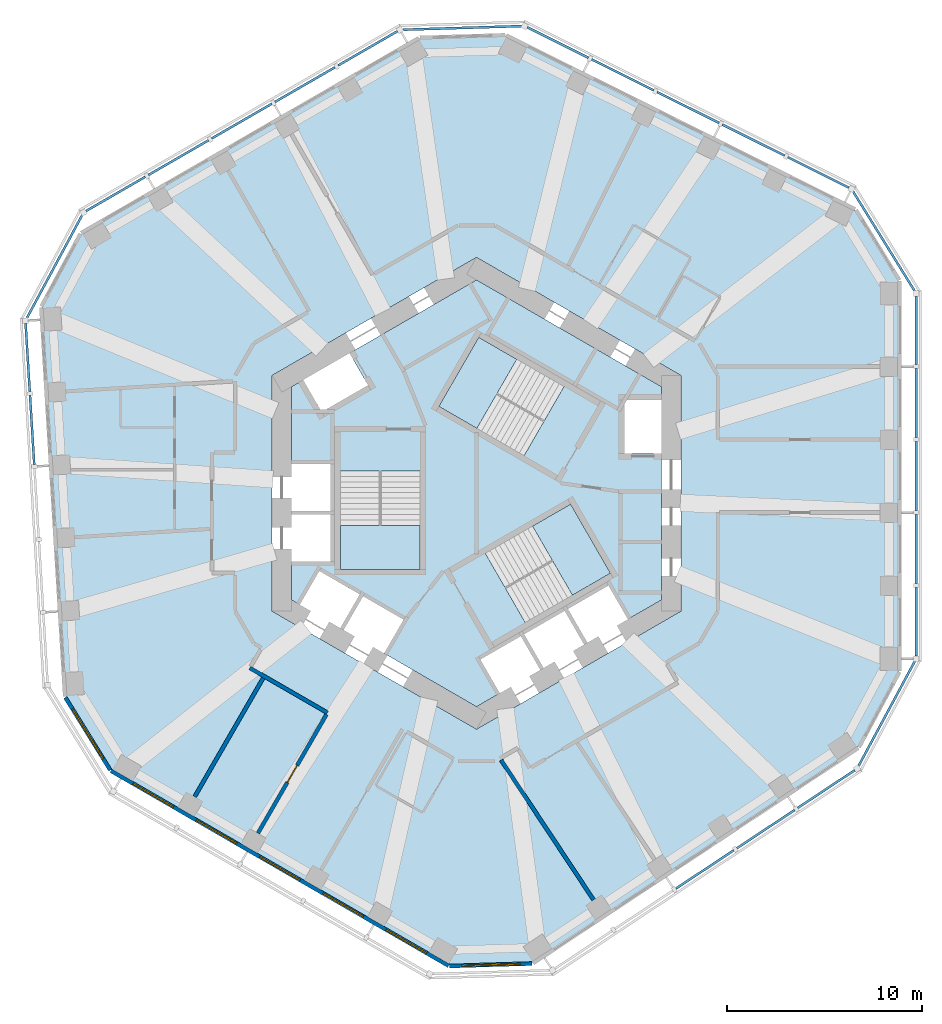
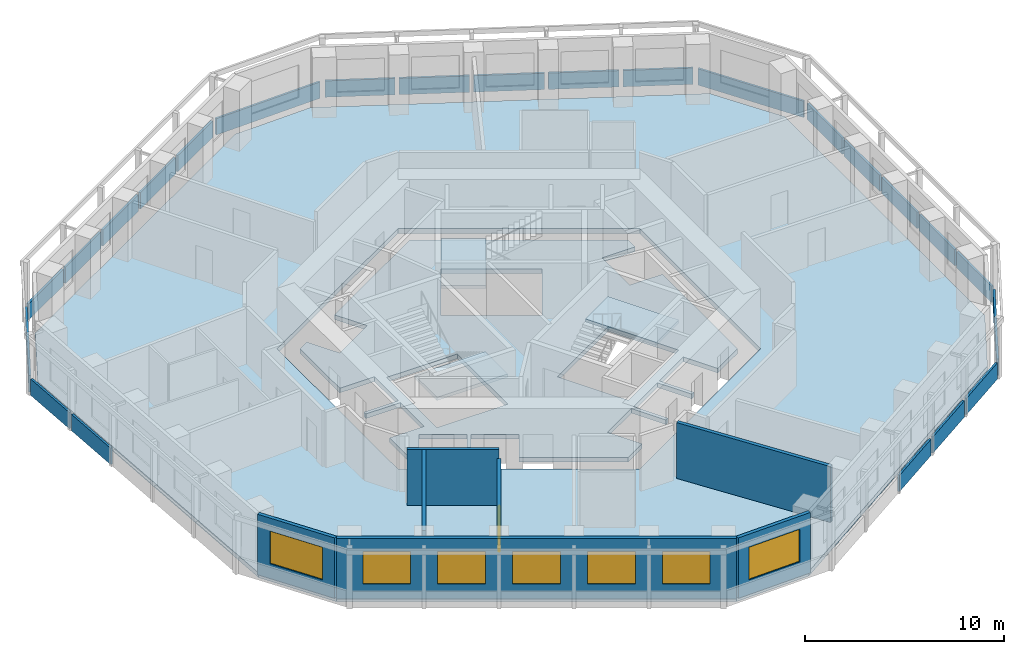
# One storey, part 3 of 10: 24 plates, 7 walls, 7 windows, 5 slabs, 1 door, 8 openings, 12 elements without a shape of their own.
"""IFC4 building model written with IfcOpenShell, lengths in metres."""

from ifc_helpers import new_model, si_unit, direction, frame, frame_2d, origin, origin_2d, place, context, subcontext, project, spatial, polyline, rectangle, outline, extrude, material, layer, layer_set, type_object, element, fill, aggregate, save


model = new_model("IFC4")

# Units and contexts
model_context = context("Model", 3, precision=1e-05, world=origin(), true_north=direction((0.0, 1.0)))
body_context = subcontext(model_context, "Body", "Model", "MODEL_VIEW")
ifc_project = project(units=[si_unit("LENGTHUNIT", "METRE"), si_unit("AREAUNIT", "SQUARE_METRE"), si_unit("VOLUMEUNIT", "CUBIC_METRE"), si_unit("PLANEANGLEUNIT", "RADIAN"), si_unit("MASSUNIT", "GRAM", prefix="KILO")], contexts=[model_context])

# Site, building, storey
site_placement = place(None, origin())
site = spatial("IfcSite", under=ifc_project, at=site_placement, CompositionType="ELEMENT")
building_placement = place(site_placement, origin())
building = spatial("IfcBuilding", under=site, at=building_placement, Name="Vanh Sen Convention Tower", CompositionType="ELEMENT")
storey_placement = place(building_placement, frame((0.0, 0.0, 157.699951171875)))
storey = spatial("IfcBuildingStorey", under=building, at=storey_placement, Name="L38", CompositionType="ELEMENT", Elevation=157.699951171875)

# Slabs
ifc_material_1 = material(Name="Concrete C40/50", Category="concrete")
ifc_layer_1 = layer(ifc_material_1, 0.280029296875)
ifc_layer_set_1 = layer_set([ifc_layer_1], Name="Concrete C40/50")
slab_type_1 = type_object("IfcSlabType", Name="Core slab 280", PredefinedType="FLOOR", material=ifc_layer_set_1)
slab_1_placement = place(storey_placement, frame((0.0, 0.0, -0.280029296875)))
element("IfcSlab", 1, at=slab_1_placement, inside=storey, type_object=slab_type_1, Name="Core slab L38", PredefinedType="FLOOR", context=body_context, shape_type="SweptSolid", body=[
    extrude(outline(polyline([(0.0, 10.9697265625), (9.5, 5.48486328125), (9.5, 4.800048828125), (7.60009765625, 4.800048828125), (7.60009765625, 2.050048828125), (9.5, 2.050048828125), (9.5, -5.48486328125), (7.781005859375, -6.477294921875), (6.781005859375, -4.7451171875), (4.70263671875, -5.9453125), (5.70263671875, -7.67724609375), (5.529296875, -7.777099609375), (4.529296875, -6.045166015625), (2.450927734375, -7.2451171875), (3.450927734375, -8.977294921875), (3.27783203125, -9.0771484375), (2.27783203125, -7.34521484375), (0.19921875, -8.545166015625), (1.19921875, -10.277099609375), (0.0, -10.9697265625), (-4.75, -8.227294921875), (-3.75, -6.4951171875), (-5.82861328125, -5.295166015625), (-6.82861328125, -7.027099609375), (-7.001708984375, -6.92724609375), (-6.001708984375, -5.1953125), (-8.080078125, -3.9951171875), (-9.080078125, -5.727294921875), (-9.5, -5.48486328125), (-9.5, -3.5), (-7.5, -3.5), (-7.5, -1.10009765625), (-9.5, -1.10009765625), (-9.5, -0.89990234375), (-7.5, -0.89990234375), (-7.5, 1.5), (-9.5, 1.5), (-9.5, 5.48486328125), (-8.906982421875, 5.8271484375), (-7.956787109375, 4.181884765625), (-5.575439453125, 5.556884765625), (-6.525390625, 7.2021484375), (0.0, 10.9697265625)]), holes=[polyline([(-7.0, 1.1494140625), (-7.0, -3.909912109375), (-2.89990234375, -3.909912109375), (-2.89990234375, 1.1494140625), (-7.0, 1.1494140625)]), polyline([(2.504638671875, -6.63671875), (6.88623046875, -4.107177734375), (4.836181640625, -0.556396484375), (0.45458984375, -3.086181640625), (2.504638671875, -6.63671875)]), polyline([(0.11376953125, 8.01708984375), (-1.936279296875, 4.466552734375), (2.4453125, 1.936767578125), (4.495361328125, 5.487548828125), (0.11376953125, 8.01708984375)])]), origin(), (0.0, 0.0, 1.0), 0.280029296875),
])
ifc_layer_2 = layer(ifc_material_1, 0.280029296875)
ifc_layer_set_2 = layer_set([ifc_layer_2], Name="Concrete C40/50")
slab_type_2 = type_object("IfcSlabType", Name="Floor slab 280 REI 120", PredefinedType="FLOOR", material=ifc_layer_set_2)
slab_2_placement = place(storey_placement, frame((0.0, 0.0, -0.280029296875)))
element("IfcSlab", 2, at=slab_2_placement, inside=storey, type_object=slab_type_2, Name="Floor slab L38 tower", PredefinedType="FLOOR", context=body_context, shape_type="SweptSolid", body=[
    extrude(outline(polyline([(21.699951171875, -9.15087890625), (21.699951171875, 10.91943359375), (19.454833984375, 14.5478515625), (1.492919921875, 23.503173828125), (-2.925048828125, 23.368408203125), (-20.306640625, 13.3330078125), (-22.326171875, 9.574462890625), (-21.100830078125, -10.458740234375), (-18.77490234375, -14.21728515625), (-1.393310546875, -24.25244140625), (2.871337890625, -24.122314453125), (19.60791015625, -13.04443359375), (21.699951171875, -9.15087890625)]), holes=[polyline([(0.0, 12.12451171875), (-10.5, 6.062255859375), (-10.5, -6.062255859375), (0.0, -12.12451171875), (10.5, -6.062255859375), (10.5, 6.062255859375), (0.0, 12.12451171875)])]), origin(), (0.0, 0.0, 1.0), 0.280029296875),
])

# Curtain wall, plates
ifc_material_2 = material(Name="Concrete C50/60", Category="concrete")
curtain_wall_type = type_object("IfcCurtainWallType", Name="Outer skin office zone", PredefinedType="NOTDEFINED", material=ifc_material_2)
curtain_wall_1_placement = place(storey_placement, origin())
curtain_wall_1 = element("IfcCurtainWall", 3, at=curtain_wall_1_placement, inside=storey, type_object=curtain_wall_type, Name="OUTER SKIN E L38", PredefinedType="NOTDEFINED")
ifc_layer_3 = layer(ifc_material_2, 0.1201171875)
ifc_layer_set_3 = layer_set([ifc_layer_3], Name="Concrete C50/60")
plate_type = type_object("IfcPlateType", Name="Outer skin precast screen panel 120", PredefinedType="CURTAIN_PANEL", material=ifc_layer_set_3)
plate_1_placement = place(storey_placement, frame((22.60009765625, -6.59912109375, 0.0), z_axis=(0.0, 0.0, 1.0), x_axis=(0.0, 1.0, 0.0)))
plate_1 = element("IfcPlate", 4, at=plate_1_placement, type_object=plate_type, Name="OUTER SKIN screen panel E-1", PredefinedType="CURTAIN_PANEL", context=body_context, shape_type="SweptSolid", body=[
    extrude(rectangle(XDim=3.504150390625, YDim=0.1201171875, at=origin_2d()), origin(), (0.0, 0.0, 1.0), 1.0),
])
plate_2_placement = place(storey_placement, frame((22.60009765625, -2.869873046875, 0.0), z_axis=(0.0, 0.0, 1.0), x_axis=(0.0, 1.0, 0.0)))
plate_2 = element("IfcPlate", 5, at=plate_2_placement, type_object=plate_type, Name="OUTER SKIN screen panel E-2", PredefinedType="CURTAIN_PANEL", context=body_context, shape_type="SweptSolid", body=[
    extrude(rectangle(XDim=3.55419921875, YDim=0.1201171875, at=origin_2d()), origin(), (0.0, 0.0, 1.0), 1.0),
])
plate_3_placement = place(storey_placement, frame((22.60009765625, 0.88427734375, 0.0), z_axis=(0.0, 0.0, 1.0), x_axis=(0.0, 1.0, 0.0)))
plate_3 = element("IfcPlate", 6, at=plate_3_placement, type_object=plate_type, Name="OUTER SKIN screen panel E-3", PredefinedType="CURTAIN_PANEL", context=body_context, shape_type="SweptSolid", body=[
    extrude(rectangle(XDim=3.55419921875, YDim=0.1201171875, at=origin_2d()), origin(), (0.0, 0.0, 1.0), 1.0),
])
plate_4_placement = place(storey_placement, frame((22.60009765625, 4.63818359375, 0.0), z_axis=(0.0, 0.0, 1.0), x_axis=(0.0, 1.0, 0.0)))
plate_4 = element("IfcPlate", 7, at=plate_4_placement, type_object=plate_type, Name="OUTER SKIN screen panel E-4", PredefinedType="CURTAIN_PANEL", context=body_context, shape_type="SweptSolid", body=[
    extrude(rectangle(XDim=3.55419921875, YDim=0.1201171875, at=origin_2d()), origin(), (0.0, 0.0, 1.0), 1.0),
])
plate_5_placement = place(storey_placement, frame((22.60009765625, 8.367431640625, 0.0), z_axis=(0.0, 0.0, 1.0), x_axis=(0.0, 1.0, 0.0)))
plate_5 = element("IfcPlate", 8, at=plate_5_placement, type_object=plate_type, Name="OUTER SKIN screen panel E-5", PredefinedType="CURTAIN_PANEL", context=body_context, shape_type="SweptSolid", body=[
    extrude(rectangle(XDim=3.504150390625, YDim=0.1201171875, at=origin_2d()), origin(), (0.0, 0.0, 1.0), 1.0),
])
aggregate(curtain_wall_1, [plate_1, plate_2, plate_3, plate_4, plate_5])

# Curtain wall, plate
curtain_wall_2_placement = place(storey_placement, origin())
curtain_wall_2 = element("IfcCurtainWall", 9, at=curtain_wall_2_placement, inside=storey, type_object=curtain_wall_type, Name="OUTER SKIN CH1 L38", PredefinedType="NOTDEFINED")
plate_6_placement = place(storey_placement, frame((20.937255859375, 12.956298828125, 0.0), z_axis=(0.0, 0.0, 1.0), x_axis=(-0.5262035346, 0.850358653848, 0.0)))
plate_6 = element("IfcPlate", 10, at=plate_6_placement, type_object=plate_type, Name="OUTER SKIN screen panel CH1-1", PredefinedType="CURTAIN_PANEL", context=body_context, shape_type="SweptSolid", body=[
    extrude(rectangle(XDim=6.01953125, YDim=0.1201171875, at=origin_2d()), origin(), (0.0, 0.0, 1.0), 1.0),
])
aggregate(curtain_wall_2, [plate_6])

# Curtain wall, plates
curtain_wall_3_placement = place(storey_placement, origin())
curtain_wall_3 = element("IfcCurtainWall", 11, at=curtain_wall_3_placement, inside=storey, type_object=curtain_wall_type, Name="OUTER SKIN NE L38", PredefinedType="NOTDEFINED")
plate_7_placement = place(storey_placement, frame((17.572509765625, 16.491943359375, 0.0), z_axis=(0.0, 0.0, 1.0), x_axis=(-0.894943706551, 0.446179069551, 0.0)))
plate_7 = element("IfcPlate", 12, at=plate_7_placement, type_object=plate_type, Name="OUTER SKIN screen panel NE-1", PredefinedType="CURTAIN_PANEL", context=body_context, shape_type="SweptSolid", body=[
    extrude(rectangle(XDim=3.504150390625, YDim=0.1201171875, at=origin_2d()), origin(), (0.0, 0.0, 1.0), 1.0),
])
plate_8_placement = place(storey_placement, frame((14.235107421875, 18.156005859375, 0.0), z_axis=(0.0, 0.0, 1.0), x_axis=(-0.894932804072, 0.446200937017, 0.0)))
plate_8 = element("IfcPlate", 13, at=plate_8_placement, type_object=plate_type, Name="OUTER SKIN screen panel NE-2", PredefinedType="CURTAIN_PANEL", context=body_context, shape_type="SweptSolid", body=[
    extrude(rectangle(XDim=3.55419921875, YDim=0.1201171875, at=origin_2d()), origin(), (0.0, 0.0, 1.0), 1.0),
])
plate_9_placement = place(storey_placement, frame((10.87548828125, 19.8310546875, 0.0), z_axis=(0.0, 0.0, 1.0), x_axis=(-0.894932804072, 0.446200937017, 0.0)))
plate_9 = element("IfcPlate", 14, at=plate_9_placement, type_object=plate_type, Name="OUTER SKIN screen panel NE-3", PredefinedType="CURTAIN_PANEL", context=body_context, shape_type="SweptSolid", body=[
    extrude(rectangle(XDim=3.55419921875, YDim=0.1201171875, at=origin_2d()), origin(), (0.0, 0.0, 1.0), 1.0),
])
plate_10_placement = place(storey_placement, frame((7.515625, 21.506103515625, 0.0), z_axis=(0.0, 0.0, 1.0), x_axis=(-0.894932804072, 0.446200937017, 0.0)))
plate_10 = element("IfcPlate", 15, at=plate_10_placement, type_object=plate_type, Name="OUTER SKIN screen panel NE-4", PredefinedType="CURTAIN_PANEL", context=body_context, shape_type="SweptSolid", body=[
    extrude(rectangle(XDim=3.55419921875, YDim=0.1201171875, at=origin_2d()), origin(), (0.0, 0.0, 1.0), 1.0),
])
plate_11_placement = place(storey_placement, frame((4.178466796875, 23.169921875, 0.0), z_axis=(0.0, 0.0, 1.0), x_axis=(-0.894943706551, 0.446179069551, 0.0)))
plate_11 = element("IfcPlate", 16, at=plate_11_placement, type_object=plate_type, Name="OUTER SKIN screen panel NE-5", PredefinedType="CURTAIN_PANEL", context=body_context, shape_type="SweptSolid", body=[
    extrude(rectangle(XDim=3.504150390625, YDim=0.1201171875, at=origin_2d()), origin(), (0.0, 0.0, 1.0), 1.0),
])
aggregate(curtain_wall_3, [plate_7, plate_8, plate_9, plate_10, plate_11])

# Curtain wall, plate
curtain_wall_4_placement = place(storey_placement, origin())
curtain_wall_4 = element("IfcCurtainWall", 17, at=curtain_wall_4_placement, inside=storey, type_object=curtain_wall_type, Name="OUTER SKIN CH2 L38", PredefinedType="NOTDEFINED")
plate_12_placement = place(storey_placement, frame((-0.73095703125, 23.920654296875, 0.0), z_axis=(0.0, 0.0, 1.0), x_axis=(-0.999533590837, -0.03053851321, 0.0)))
plate_12 = element("IfcPlate", 18, at=plate_12_placement, type_object=plate_type, Name="OUTER SKIN screen panel CH2-1", PredefinedType="CURTAIN_PANEL", context=body_context, shape_type="SweptSolid", body=[
    extrude(rectangle(XDim=6.1171875, YDim=0.1201171875, at=origin_2d()), origin(), (0.0, 0.0, 1.0), 1.0),
])
aggregate(curtain_wall_4, [plate_12])

# Curtain wall, plates
curtain_wall_5_placement = place(storey_placement, origin())
curtain_wall_5 = element("IfcCurtainWall", 19, at=curtain_wall_5_placement, inside=storey, type_object=curtain_wall_type, Name="OUTER SKIN NW L38", PredefinedType="NOTDEFINED")
plate_13_placement = place(storey_placement, frame((-5.585205078125, 22.87158203125, 0.0), z_axis=(0.0, 0.0, 1.0), x_axis=(-0.866035002936, -0.499983373414, 0.0)))
plate_13 = element("IfcPlate", 20, at=plate_13_placement, type_object=plate_type, Name="OUTER SKIN screen panel NW-1", PredefinedType="CURTAIN_PANEL", context=body_context, shape_type="SweptSolid", body=[
    extrude(rectangle(XDim=3.504150390625, YDim=0.1201171875, at=origin_2d()), origin(), (0.0, 0.0, 1.0), 1.0),
])
plate_14_placement = place(storey_placement, frame((-8.814697265625, 21.007080078125, 0.0), z_axis=(0.0, 0.0, 1.0), x_axis=(-0.866016677006, -0.500015114919, 0.0)))
plate_14 = element("IfcPlate", 21, at=plate_14_placement, type_object=plate_type, Name="OUTER SKIN screen panel NW-2", PredefinedType="CURTAIN_PANEL", context=body_context, shape_type="SweptSolid", body=[
    extrude(rectangle(XDim=3.55419921875, YDim=0.1201171875, at=origin_2d()), origin(), (0.0, 0.0, 1.0), 1.0),
])
plate_15_placement = place(storey_placement, frame((-12.06591796875, 19.1298828125, 0.0), z_axis=(0.0, 0.0, 1.0), x_axis=(-0.866035002936, -0.499983373414, 0.0)))
plate_15 = element("IfcPlate", 22, at=plate_15_placement, type_object=plate_type, Name="OUTER SKIN screen panel NW-3", PredefinedType="CURTAIN_PANEL", context=body_context, shape_type="SweptSolid", body=[
    extrude(rectangle(XDim=3.55419921875, YDim=0.1201171875, at=origin_2d()), origin(), (0.0, 0.0, 1.0), 1.0),
])
plate_16_placement = place(storey_placement, frame((-15.31689453125, 17.2529296875, 0.0), z_axis=(0.0, 0.0, 1.0), x_axis=(-0.866016677006, -0.500015114919, 0.0)))
plate_16 = element("IfcPlate", 23, at=plate_16_placement, type_object=plate_type, Name="OUTER SKIN screen panel NW-4", PredefinedType="CURTAIN_PANEL", context=body_context, shape_type="SweptSolid", body=[
    extrude(rectangle(XDim=3.55419921875, YDim=0.1201171875, at=origin_2d()), origin(), (0.0, 0.0, 1.0), 1.0),
])
plate_17_placement = place(storey_placement, frame((-18.54638671875, 15.388427734375, 0.0), z_axis=(0.0, 0.0, 1.0), x_axis=(-0.866035002936, -0.499983373414, 0.0)))
plate_17 = element("IfcPlate", 24, at=plate_17_placement, type_object=plate_type, Name="OUTER SKIN screen panel NW-5", PredefinedType="CURTAIN_PANEL", context=body_context, shape_type="SweptSolid", body=[
    extrude(rectangle(XDim=3.504150390625, YDim=0.1201171875, at=origin_2d()), origin(), (0.0, 0.0, 1.0), 1.0),
])
aggregate(curtain_wall_5, [plate_13, plate_14, plate_15, plate_16, plate_17])

# Curtain wall, plate
curtain_wall_6_placement = place(storey_placement, origin())
curtain_wall_6 = element("IfcCurtainWall", 25, at=curtain_wall_6_placement, inside=storey, type_object=curtain_wall_type, Name="OUTER SKIN CH3 L38", PredefinedType="NOTDEFINED")
plate_18_placement = place(storey_placement, frame((-21.689208984375, 11.654052734375, 0.0), z_axis=(0.0, 0.0, 1.0), x_axis=(-0.47331812974, -0.880891564303, 0.0)))
plate_18 = element("IfcPlate", 26, at=plate_18_placement, type_object=plate_type, Name="OUTER SKIN screen panel CH3-1", PredefinedType="CURTAIN_PANEL", context=body_context, shape_type="SweptSolid", body=[
    extrude(rectangle(XDim=6.019287109375, YDim=0.1201171875, at=origin_2d()), origin(), (0.0, 0.0, 1.0), 1.0),
])
aggregate(curtain_wall_6, [plate_18])

# Curtain wall, plates
curtain_wall_7_placement = place(storey_placement, origin())
curtain_wall_7 = element("IfcCurtainWall", 27, at=curtain_wall_7_placement, inside=storey, type_object=curtain_wall_type, Name="OUTER SKIN W L38", PredefinedType="NOTDEFINED")
plate_19_placement = place(storey_placement, frame((-23.068603515625, 6.97216796875, 0.0), z_axis=(0.0, 0.0, 1.0), x_axis=(0.061053765756, -0.998134478759, 0.0)))
plate_19 = element("IfcPlate", 28, at=plate_19_placement, type_object=plate_type, Name="OUTER SKIN screen panel W-1", PredefinedType="CURTAIN_PANEL", context=body_context, shape_type="SweptSolid", body=[
    extrude(rectangle(XDim=3.504150390625, YDim=0.1201171875, at=origin_2d()), origin(), (0.0, 0.0, 1.0), 1.0),
])
plate_20_placement = place(storey_placement, frame((-22.841064453125, 3.25, 0.0), z_axis=(0.0, 0.0, 1.0), x_axis=(0.061052023682, -0.998134585316, 0.0)))
plate_20 = element("IfcPlate", 29, at=plate_20_placement, type_object=plate_type, Name="OUTER SKIN screen panel W-2", PredefinedType="CURTAIN_PANEL", context=body_context, shape_type="SweptSolid", body=[
    extrude(rectangle(XDim=3.55419921875, YDim=0.1201171875, at=origin_2d()), origin(), (0.0, 0.0, 1.0), 1.0),
])
aggregate(curtain_wall_7, [plate_19, plate_20])

curtain_wall_8_placement = place(storey_placement, origin())
curtain_wall_8 = element("IfcCurtainWall", 30, at=curtain_wall_8_placement, inside=storey, type_object=curtain_wall_type, Name="OUTER SKIN SE L38", PredefinedType="NOTDEFINED")
plate_21_placement = place(storey_placement, frame((11.736328125, -19.333984375, 0.0), z_axis=(0.0, 0.0, 1.0), x_axis=(0.833877152158, 0.551950083892, 0.0)))
plate_21 = element("IfcPlate", 31, at=plate_21_placement, type_object=plate_type, Name="OUTER SKIN screen panel SE-3", PredefinedType="CURTAIN_PANEL", context=body_context, shape_type="SweptSolid", body=[
    extrude(rectangle(XDim=3.55419921875, YDim=0.1201171875, at=origin_2d()), origin(), (0.0, 0.0, 1.0), 1.0),
])
plate_22_placement = place(storey_placement, frame((14.866943359375, -17.26171875, 0.0), z_axis=(0.0, 0.0, 1.0), x_axis=(0.833889675294, 0.551931163677, 0.0)))
plate_22 = element("IfcPlate", 32, at=plate_22_placement, type_object=plate_type, Name="OUTER SKIN screen panel SE-4", PredefinedType="CURTAIN_PANEL", context=body_context, shape_type="SweptSolid", body=[
    extrude(rectangle(XDim=3.55419921875, YDim=0.1201171875, at=origin_2d()), origin(), (0.0, 0.0, 1.0), 1.0),
])
plate_23_placement = place(storey_placement, frame((17.9765625, -15.20361328125, 0.0), z_axis=(0.0, 0.0, 1.0), x_axis=(0.833889675294, 0.551931163677, 0.0)))
plate_23 = element("IfcPlate", 33, at=plate_23_placement, type_object=plate_type, Name="OUTER SKIN screen panel SE-5", PredefinedType="CURTAIN_PANEL", context=body_context, shape_type="SweptSolid", body=[
    extrude(rectangle(XDim=3.504150390625, YDim=0.1201171875, at=origin_2d()), origin(), (0.0, 0.0, 1.0), 1.0),
])
aggregate(curtain_wall_8, [plate_21, plate_22, plate_23])

# Curtain wall, plate
curtain_wall_9_placement = place(storey_placement, origin())
curtain_wall_9 = element("IfcCurtainWall", 34, at=curtain_wall_9_placement, inside=storey, type_object=curtain_wall_type, Name="OUTER SKIN CH6 L38", PredefinedType="NOTDEFINED")
plate_24_placement = place(storey_placement, frame((21.081298828125, -11.327392578125, 0.0), z_axis=(0.0, 0.0, 1.0), x_axis=(0.473321204628, 0.880889912105, 0.0)))
plate_24 = element("IfcPlate", 35, at=plate_24_placement, type_object=plate_type, Name="OUTER SKIN screen panel CH6-1", PredefinedType="CURTAIN_PANEL", context=body_context, shape_type="SweptSolid", body=[
    extrude(rectangle(XDim=6.1171875, YDim=0.1201171875, at=origin_2d()), origin(), (0.0, 0.0, 1.0), 1.0),
])
aggregate(curtain_wall_9, [plate_24])

# Stair, slab
ifc_material_3 = material(Name="Concrete C50/60", Category="concrete")
stair_type_1 = type_object("IfcStairType", Name="Exit stair ST1 22 risers at 168.2", PredefinedType="HALF_TURN_STAIR", material=ifc_material_3)
stair_1_placement = place(storey_placement, origin())
stair_1 = element("IfcStair", 36, at=stair_1_placement, inside=storey, type_object=stair_type_1, Name="Exit stair ST1 L38", PredefinedType="HALF_TURN_STAIR")
ifc_layer_4 = layer(ifc_material_1, 0.199951171875)
ifc_layer_set_4 = layer_set([ifc_layer_4], Name="Concrete C40/50")
slab_type_3 = type_object("IfcSlabType", Name="Stair landing 200", PredefinedType="LANDING", material=ifc_layer_set_4)
slab_3_placement = place(storey_placement, frame((0.0, 0.0, 1.650146484375)))
slab_3 = element("IfcSlab", 37, at=slab_3_placement, type_object=slab_type_3, Name="ST1 landing 1", PredefinedType="LANDING", context=body_context, shape_type="SweptSolid", body=[
    extrude(outline(polyline([(2.07177734375, 6.88671875), (0.11376953125, 8.01708984375), (-1.936279296875, 4.466552734375), (0.021728515625, 3.336181640625), (2.07177734375, 6.88671875)])), origin(), (0.0, 0.0, 1.0), 0.199951171875),
])
aggregate(stair_1, [slab_3])

stair_type_2 = type_object("IfcStairType", Name="Exit stair ST2 22 risers at 168.2", PredefinedType="HALF_TURN_STAIR", material=ifc_material_3)
stair_2_placement = place(storey_placement, origin())
stair_2 = element("IfcStair", 38, at=stair_2_placement, inside=storey, type_object=stair_type_2, Name="Exit stair ST2 L38", PredefinedType="HALF_TURN_STAIR")
slab_4_placement = place(storey_placement, frame((0.0, 0.0, 1.650146484375)))
slab_4 = element("IfcSlab", 39, at=slab_4_placement, type_object=slab_type_3, Name="ST2 landing 1", PredefinedType="LANDING", context=body_context, shape_type="SweptSolid", body=[
    extrude(outline(polyline([(-7.0, -1.6494140625), (-7.0, -3.909912109375), (-2.89990234375, -3.909912109375), (-2.89990234375, -1.6494140625), (-7.0, -1.6494140625)])), origin(), (0.0, 0.0, 1.0), 0.199951171875),
])
aggregate(stair_2, [slab_4])

stair_type_3 = type_object("IfcStairType", Name="Exit stair ST3 22 risers at 168.2", PredefinedType="HALF_TURN_STAIR", material=ifc_material_3)
stair_3_placement = place(storey_placement, origin())
stair_3 = element("IfcStair", 40, at=stair_3_placement, inside=storey, type_object=stair_type_3, Name="Exit stair ST3 L38", PredefinedType="HALF_TURN_STAIR")
slab_5_placement = place(storey_placement, frame((0.0, 0.0, 1.650146484375)))
slab_5 = element("IfcSlab", 41, at=slab_5_placement, type_object=slab_type_3, Name="ST3 landing 1", PredefinedType="LANDING", context=body_context, shape_type="SweptSolid", body=[
    extrude(outline(polyline([(4.92822265625, -5.237548828125), (6.88623046875, -4.107177734375), (4.836181640625, -0.556396484375), (2.87841796875, -1.686767578125), (4.92822265625, -5.237548828125)])), origin(), (0.0, 0.0, 1.0), 0.199951171875),
])
aggregate(stair_3, [slab_5])

# Wall
ifc_material_4 = material(Name="Gypsum board on steel studs with mineral wool", Category="steel")
ifc_layer_5 = layer(ifc_material_4, 0.199951171875)
ifc_layer_set_5 = layer_set([ifc_layer_5], Name="Gypsum board on steel studs with mineral wool")
wall_type_1 = type_object("IfcWallType", Name="Corridor partition wall 200", PredefinedType="PARTITIONING", material=ifc_layer_set_5)
wall_1_placement = place(storey_placement, frame((-11.651123046875, -8.978271484375, 0.0), z_axis=(0.0, 0.0, 1.0), x_axis=(0.866010893236, -0.500025132165, 0.0)))
element("IfcWall", 42, at=wall_1_placement, inside=storey, type_object=wall_type_1, Name="Corridor partition wall 200", PredefinedType="PARTITIONING", context=body_context, shape_type="SweptSolid", body=[
    extrude(rectangle(XDim=4.608154296875, YDim=0.199951171875, at=frame_2d((2.30419921875, 0.0))), origin(), (0.0, 0.0, 1.0), 3.420166015625),
])

# Wall, opening, door
wall_2_placement = place(storey_placement, frame((-11.23486328125, -17.4736328125, 0.0), z_axis=(0.0, 0.0, 1.0), x_axis=(0.500009260695, 0.866020057054, 0.0)))
wall_2 = element("IfcWall", 43, at=wall_2_placement, inside=storey, type_object=wall_type_1, Name="Corridor partition wall 200", PredefinedType="PARTITIONING", context=body_context, shape_type="SweptSolid", body=[
    extrude(rectangle(XDim=7.049072265625, YDim=0.199951171875, at=frame_2d((3.5244140625, 0.0))), origin(), (0.0, 0.0, 1.0), 2.8701171875),
])
opening_1_placement = place(wall_2_placement, frame((3.0244140625, 0.0, 0.0)))
opening_1 = element("IfcOpeningElement", 44, at=opening_1_placement, cuts=wall_2, Name="Opening D38112", PredefinedType="OPENING", context=body_context, shape_type="SweptSolid", body=[
    extrude(rectangle(XDim=1.0, YDim=2.10009765625, at=frame_2d((0.5, 1.050048828125))), frame((0.0, 0.10986328125, 0.0), z_axis=(0.0, -1.0, 0.0), x_axis=(1.0, 0.0, 0.0)), (0.0, 0.0, 1.0), 0.219970703125),
])
ifc_material_5 = material(Name="Glazed fire door in steel frame", Category="steel")
door_type = type_object("IfcDoorType", Name="Tenant entrance door 1000", OperationType="SINGLE_SWING_LEFT", PredefinedType="DOOR", material=ifc_material_5)
door_placement = place(opening_1_placement, origin())
door = element("IfcDoor", 45, at=door_placement, inside=storey, type_object=door_type, Name="Tenant suite entrance door D38112", OperationType="SINGLE_SWING_LEFT", OverallHeight=2.10009765625, OverallWidth=1.0, PredefinedType="DOOR", context=body_context, shape_type="SweptSolid", body=[
    extrude(rectangle(XDim=1.0, YDim=2.10009765625, at=frame_2d((0.5, 1.050048828125))), frame((0.0, 0.02490234375, 0.0), z_axis=(0.0, -1.0, 0.0), x_axis=(1.0, 0.0, 0.0)), (0.0, 0.0, 1.0), 0.050048828125),
])
fill(opening_1, door)

# Wall, opening, window
ifc_material_6 = material(Name="Insulated lightweight infill wall")
ifc_layer_6 = layer(ifc_material_6, 0.199951171875)
ifc_layer_set_6 = layer_set([ifc_layer_6], Name="Insulated lightweight infill wall")
wall_type_2 = type_object("IfcWallType", Name="External wall 200", PredefinedType="STANDARD", material=ifc_layer_set_6)
wall_3_placement = place(storey_placement, frame((-21.13671875, -10.49560546875, 0.0), z_axis=(0.0, 0.0, 1.0), x_axis=(0.526178661629, -0.850374044786, 0.0)))
wall_3 = element("IfcWall", 46, at=wall_3_placement, inside=storey, type_object=wall_type_2, Name="External wall CH4 L38", PredefinedType="STANDARD", context=body_context, shape_type="SweptSolid", body=[
    extrude(rectangle(XDim=4.394775390625, YDim=0.199951171875, at=frame_2d((2.197265625, 0.0))), origin(), (0.0, 0.0, 1.0), 3.699951171875),
])
opening_2_placement = place(wall_3_placement, frame((0.697509765625, 0.0, 0.89990234375)))
opening_2 = element("IfcOpeningElement", 47, at=opening_2_placement, cuts=wall_3, Name="Opening WO2-CH41", PredefinedType="OPENING", context=body_context, shape_type="SweptSolid", body=[
    extrude(rectangle(XDim=3.0, YDim=2.0, at=frame_2d((1.5, 1.0))), frame((0.0, 0.10986328125, 0.0), z_axis=(0.0, -1.0, 0.0), x_axis=(1.0, 0.0, 0.0)), (0.0, 0.0, 1.0), 0.219970703125),
])
ifc_material_7 = material(Name="Aluminium frame with clear low-emissivity glass", Category="aluminium")
window_type_1 = type_object("IfcWindowType", Name="Office window 3000 x 2000", PartitioningType="SINGLE_PANEL", PredefinedType="WINDOW", material=ifc_material_7)
window_1_placement = place(opening_2_placement, origin())
window_1 = element("IfcWindow", 48, at=window_1_placement, inside=storey, type_object=window_type_1, Name="Window WO2-CH41", OverallHeight=2.0, OverallWidth=3.0, PartitioningType="SINGLE_PANEL", PredefinedType="WINDOW", context=body_context, shape_type="SweptSolid", body=[
    extrude(rectangle(XDim=3.0, YDim=2.0, at=frame_2d((1.5, 1.0))), frame((0.0, 0.030029296875, 0.0), z_axis=(0.0, -1.0, 0.0), x_axis=(1.0, 0.0, 0.0)), (0.0, 0.0, 1.0), 0.06005859375),
])
fill(opening_2, window_1)

# Wall, openings, windows
wall_4_placement = place(storey_placement, frame((-18.7890625, -14.266845703125, 0.0), z_axis=(0.0, 0.0, 1.0), x_axis=(0.866023315909, -0.500003616288, 0.0)))
wall_4 = element("IfcWall", 49, at=wall_4_placement, inside=storey, type_object=wall_type_2, Name="External wall SW L38", PredefinedType="STANDARD", context=body_context, shape_type="SweptSolid", body=[
    extrude(rectangle(XDim=20.043701171875, YDim=0.199951171875, at=frame_2d((10.02197265625, 0.0))), origin(), (0.0, 0.0, 1.0), 3.699951171875),
])
opening_3_placement = place(wall_4_placement, frame((1.314453125, 0.0, 0.89990234375)))
opening_3 = element("IfcOpeningElement", 50, at=opening_3_placement, cuts=wall_4, Name="Opening WO1-SW1", PredefinedType="OPENING", context=body_context, shape_type="SweptSolid", body=[
    extrude(rectangle(XDim=2.39990234375, YDim=2.0, at=frame_2d((1.199951171875, 1.0))), frame((0.0, 0.10986328125, 0.0), z_axis=(0.0, -1.0, 0.0), x_axis=(1.0, 0.0, 0.0)), (0.0, 0.0, 1.0), 0.219970703125),
])
opening_4_placement = place(wall_4_placement, frame((5.068603515625, 0.0, 0.89990234375)))
opening_4 = element("IfcOpeningElement", 51, at=opening_4_placement, cuts=wall_4, Name="Opening WO1-SW2", PredefinedType="OPENING", context=body_context, shape_type="SweptSolid", body=[
    extrude(rectangle(XDim=2.39990234375, YDim=2.0, at=frame_2d((1.199951171875, 1.0))), frame((0.0, 0.10986328125, 0.0), z_axis=(0.0, -1.0, 0.0), x_axis=(1.0, 0.0, 0.0)), (0.0, 0.0, 1.0), 0.219970703125),
])
opening_5_placement = place(wall_4_placement, frame((8.82275390625, 0.0, 0.89990234375)))
opening_5 = element("IfcOpeningElement", 52, at=opening_5_placement, cuts=wall_4, Name="Opening WO1-SW3", PredefinedType="OPENING", context=body_context, shape_type="SweptSolid", body=[
    extrude(rectangle(XDim=2.39990234375, YDim=2.0, at=frame_2d((1.199951171875, 1.0))), frame((0.0, 0.10986328125, 0.0), z_axis=(0.0, -1.0, 0.0), x_axis=(1.0, 0.0, 0.0)), (0.0, 0.0, 1.0), 0.219970703125),
])
opening_6_placement = place(wall_4_placement, frame((12.576904296875, 0.0, 0.89990234375)))
opening_6 = element("IfcOpeningElement", 53, at=opening_6_placement, cuts=wall_4, Name="Opening WO1-SW4", PredefinedType="OPENING", context=body_context, shape_type="SweptSolid", body=[
    extrude(rectangle(XDim=2.39990234375, YDim=2.0, at=frame_2d((1.199951171875, 1.0))), frame((0.0, 0.10986328125, 0.0), z_axis=(0.0, -1.0, 0.0), x_axis=(1.0, 0.0, 0.0)), (0.0, 0.0, 1.0), 0.219970703125),
])
opening_7_placement = place(wall_4_placement, frame((16.330810546875, 0.0, 0.89990234375)))
opening_7 = element("IfcOpeningElement", 54, at=opening_7_placement, cuts=wall_4, Name="Opening WO1-SW5", PredefinedType="OPENING", context=body_context, shape_type="SweptSolid", body=[
    extrude(rectangle(XDim=2.39990234375, YDim=2.0, at=frame_2d((1.199951171875, 1.0))), frame((0.0, 0.10986328125, 0.0), z_axis=(0.0, -1.0, 0.0), x_axis=(1.0, 0.0, 0.0)), (0.0, 0.0, 1.0), 0.219970703125),
])
window_type_2 = type_object("IfcWindowType", Name="Office window 2400 x 2000", PartitioningType="SINGLE_PANEL", PredefinedType="WINDOW", material=ifc_material_7)
window_2_placement = place(opening_3_placement, origin())
window_2 = element("IfcWindow", 55, at=window_2_placement, inside=storey, type_object=window_type_2, Name="Window WO1-SW1", OverallHeight=2.0, OverallWidth=2.39990234375, PartitioningType="SINGLE_PANEL", PredefinedType="WINDOW", context=body_context, shape_type="SweptSolid", body=[
    extrude(rectangle(XDim=2.39990234375, YDim=2.0, at=frame_2d((1.199951171875, 1.0))), frame((0.0, 0.030029296875, 0.0), z_axis=(0.0, -1.0, 0.0), x_axis=(1.0, 0.0, 0.0)), (0.0, 0.0, 1.0), 0.06005859375),
])
fill(opening_3, window_2)
window_3_placement = place(opening_4_placement, origin())
window_3 = element("IfcWindow", 56, at=window_3_placement, inside=storey, type_object=window_type_2, Name="Window WO1-SW2", OverallHeight=2.0, OverallWidth=2.39990234375, PartitioningType="SINGLE_PANEL", PredefinedType="WINDOW", context=body_context, shape_type="SweptSolid", body=[
    extrude(rectangle(XDim=2.39990234375, YDim=2.0, at=frame_2d((1.199951171875, 1.0))), frame((0.0, 0.030029296875, 0.0), z_axis=(0.0, -1.0, 0.0), x_axis=(1.0, 0.0, 0.0)), (0.0, 0.0, 1.0), 0.06005859375),
])
fill(opening_4, window_3)
window_4_placement = place(opening_5_placement, origin())
window_4 = element("IfcWindow", 57, at=window_4_placement, inside=storey, type_object=window_type_2, Name="Window WO1-SW3", OverallHeight=2.0, OverallWidth=2.39990234375, PartitioningType="SINGLE_PANEL", PredefinedType="WINDOW", context=body_context, shape_type="SweptSolid", body=[
    extrude(rectangle(XDim=2.39990234375, YDim=2.0, at=frame_2d((1.199951171875, 1.0))), frame((0.0, 0.030029296875, 0.0), z_axis=(0.0, -1.0, 0.0), x_axis=(1.0, 0.0, 0.0)), (0.0, 0.0, 1.0), 0.06005859375),
])
fill(opening_5, window_4)
window_5_placement = place(opening_6_placement, origin())
window_5 = element("IfcWindow", 58, at=window_5_placement, inside=storey, type_object=window_type_2, Name="Window WO1-SW4", OverallHeight=2.0, OverallWidth=2.39990234375, PartitioningType="SINGLE_PANEL", PredefinedType="WINDOW", context=body_context, shape_type="SweptSolid", body=[
    extrude(rectangle(XDim=2.39990234375, YDim=2.0, at=frame_2d((1.199951171875, 1.0))), frame((0.0, 0.030029296875, 0.0), z_axis=(0.0, -1.0, 0.0), x_axis=(1.0, 0.0, 0.0)), (0.0, 0.0, 1.0), 0.06005859375),
])
fill(opening_6, window_5)
window_6_placement = place(opening_7_placement, origin())
window_6 = element("IfcWindow", 59, at=window_6_placement, inside=storey, type_object=window_type_2, Name="Window WO1-SW5", OverallHeight=2.0, OverallWidth=2.39990234375, PartitioningType="SINGLE_PANEL", PredefinedType="WINDOW", context=body_context, shape_type="SweptSolid", body=[
    extrude(rectangle(XDim=2.39990234375, YDim=2.0, at=frame_2d((1.199951171875, 1.0))), frame((0.0, 0.030029296875, 0.0), z_axis=(0.0, -1.0, 0.0), x_axis=(1.0, 0.0, 0.0)), (0.0, 0.0, 1.0), 0.06005859375),
])
fill(opening_7, window_6)

# Wall, opening, window
wall_5_placement = place(storey_placement, frame((-1.377685546875, -24.302001953125, 0.0), z_axis=(0.0, 0.0, 1.0), x_axis=(0.999533857267, 0.030529791629, 0.0)))
wall_5 = element("IfcWall", 60, at=wall_5_placement, inside=storey, type_object=wall_type_2, Name="External wall CH5 L38", PredefinedType="STANDARD", context=body_context, shape_type="SweptSolid", body=[
    extrude(rectangle(XDim=4.23828125, YDim=0.199951171875, at=frame_2d((2.119140625, 0.0))), origin(), (0.0, 0.0, 1.0), 3.699951171875),
])
opening_8_placement = place(wall_5_placement, frame((0.619140625, 0.0, 0.89990234375)))
opening_8 = element("IfcOpeningElement", 61, at=opening_8_placement, cuts=wall_5, Name="Opening WO2-CH51", PredefinedType="OPENING", context=body_context, shape_type="SweptSolid", body=[
    extrude(rectangle(XDim=3.0, YDim=2.0, at=frame_2d((1.5, 1.0))), frame((0.0, 0.10986328125, 0.0), z_axis=(0.0, -1.0, 0.0), x_axis=(1.0, 0.0, 0.0)), (0.0, 0.0, 1.0), 0.219970703125),
])
window_7_placement = place(opening_8_placement, origin())
window_7 = element("IfcWindow", 62, at=window_7_placement, inside=storey, type_object=window_type_1, Name="Window WO2-CH51", OverallHeight=2.0, OverallWidth=3.0, PartitioningType="SINGLE_PANEL", PredefinedType="WINDOW", context=body_context, shape_type="SweptSolid", body=[
    extrude(rectangle(XDim=3.0, YDim=2.0, at=frame_2d((1.5, 1.0))), frame((0.0, 0.030029296875, 0.0), z_axis=(0.0, -1.0, 0.0), x_axis=(1.0, 0.0, 0.0)), (0.0, 0.0, 1.0), 0.06005859375),
])
fill(opening_8, window_7)

# Walls
ifc_layer_7 = layer(ifc_material_4, 0.199951171875)
ifc_layer_set_7 = layer_set([ifc_layer_7], Name="Gypsum board on steel studs with mineral wool")
wall_type_3 = type_object("IfcWallType", Name="Tenant suite wall 200", PredefinedType="PARTITIONING", material=ifc_layer_set_7)
wall_6_placement = place(storey_placement, frame((-14.48583984375, -15.5966796875, 0.0), z_axis=(0.0, 0.0, 1.0), x_axis=(0.499983284935, 0.866035054017, 0.0)))
element("IfcWall", 63, at=wall_6_placement, inside=storey, type_object=wall_type_3, Name="Tenant suite wall 200", PredefinedType="PARTITIONING", context=body_context, shape_type="SweptSolid", body=[
    extrude(rectangle(XDim=7.049072265625, YDim=0.199951171875, at=frame_2d((3.5244140625, 0.0))), origin(), (0.0, 0.0, 1.0), 3.420166015625),
])
wall_7_placement = place(storey_placement, frame((6.01953125, -20.899169921875, 0.0), z_axis=(0.0, 0.0, 1.0), x_axis=(-0.551943990108, 0.833881185651, 0.0)))
element("IfcWall", 64, at=wall_7_placement, inside=storey, type_object=wall_type_3, Name="Tenant suite wall 200", PredefinedType="PARTITIONING", context=body_context, shape_type="SweptSolid", body=[
    extrude(rectangle(XDim=8.615234375, YDim=0.199951171875, at=frame_2d((4.3076171875, 0.0))), origin(), (0.0, 0.0, 1.0), 3.420166015625),
])

save(model, "model.ifc")
